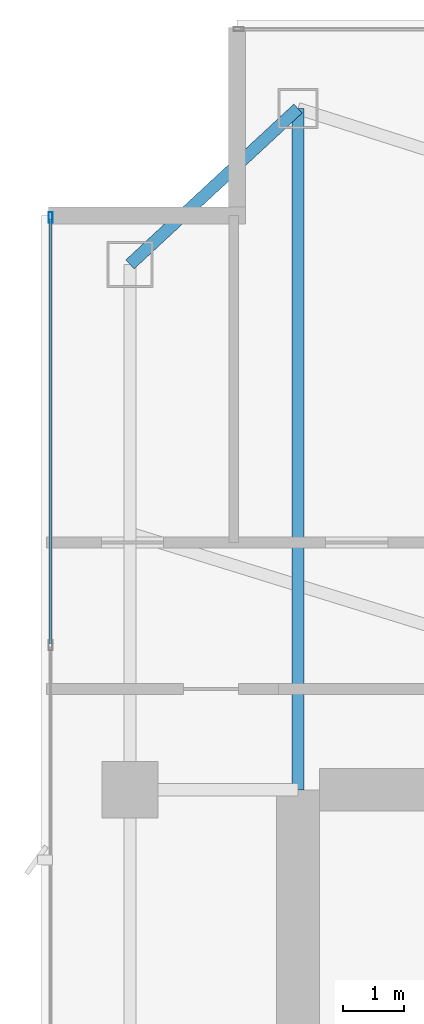
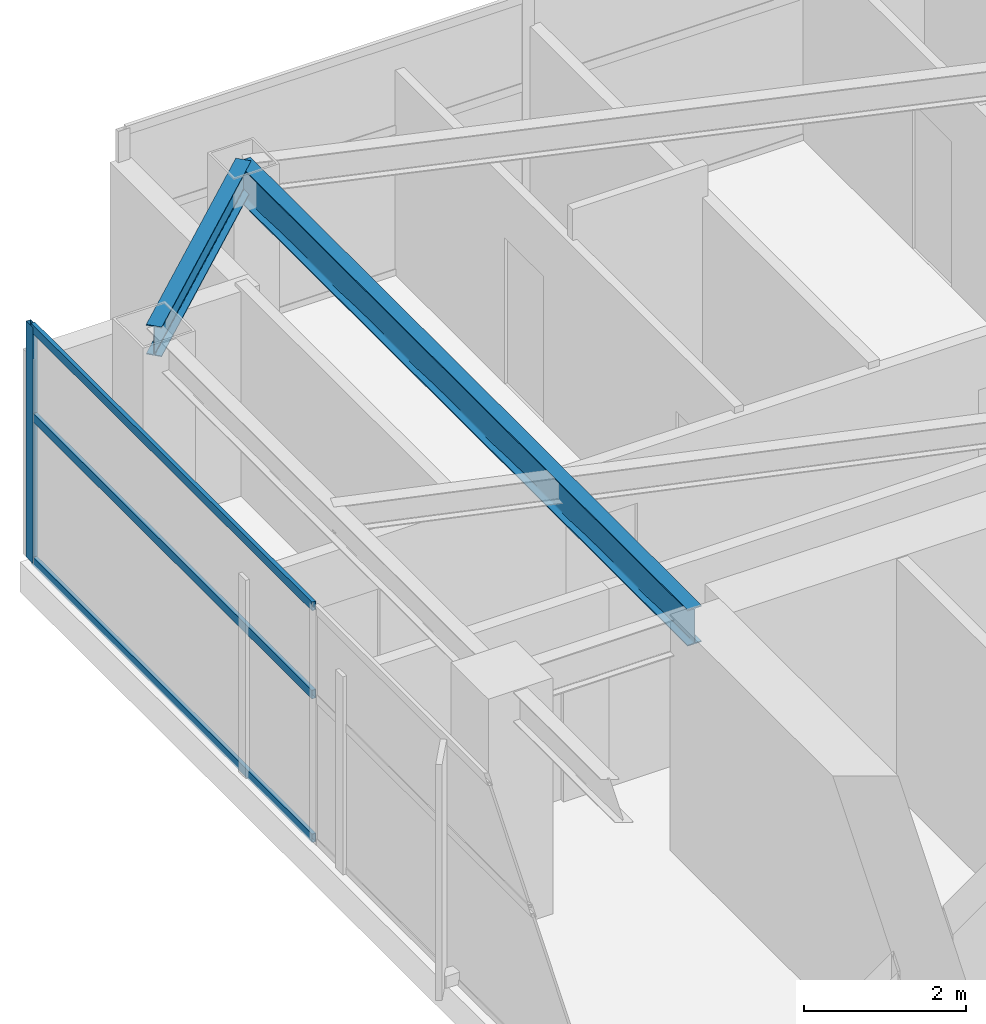
# One storey, part 17 of 28: 4 members, 2 beams, 1 element without a shape of its own.
"""IFC4 building model written with IfcOpenShell, lengths in metres."""

from ifc_helpers import new_model, si_unit, direction, frame, origin, origin_2d, place, context, subcontext, project, spatial, hollow_rectangle, i_section, extrude, material, layer, layer_set, material_profile, profile_set, type_object, element, aggregate, save


model = new_model("IFC4")

# Units and contexts
model_context = context("Model", 3, precision=1e-05, world=origin(), true_north=direction((0.0, 1.0)))
body_context = subcontext(model_context, "Body", "Model", "MODEL_VIEW")
ifc_project = project(units=[si_unit("LENGTHUNIT", "METRE"), si_unit("AREAUNIT", "SQUARE_METRE"), si_unit("VOLUMEUNIT", "CUBIC_METRE"), si_unit("PLANEANGLEUNIT", "RADIAN"), si_unit("MASSUNIT", "GRAM", prefix="KILO")], contexts=[model_context])

# Site, building, storey
site_placement = place(None, origin())
site = spatial("IfcSite", under=ifc_project, at=site_placement, CompositionType="ELEMENT")
building_placement = place(site_placement, origin())
building = spatial("IfcBuilding", under=site, at=building_placement, Name="Calvorn Quay Hotel", CompositionType="ELEMENT")
storey_placement = place(building_placement, frame((0.0, 0.0, 263.5)))
storey = spatial("IfcBuildingStorey", under=building, at=storey_placement, Name="L65", CompositionType="ELEMENT", Elevation=263.5)

# Beams
ifc_material_1 = material(Name="Steel Q355B", Category="steel")
ifc_material_profile_1 = material_profile(ifc_material_1, i_section(OverallWidth=0.199951171875, OverallDepth=0.550048828125, WebThickness=0.010009765625, FlangeThickness=0.01611328125, FilletRadius=0.01806640625, at=origin_2d()), Name="HN550x200x10x16")
ifc_profile_set_1 = profile_set([ifc_material_profile_1], Name="Steel Q355B")
beam_type_1 = type_object("IfcBeamType", Name="BM-GIRD-UPP", PredefinedType="BEAM", material=ifc_profile_set_1)
beam_1_placement = place(storey_placement, frame((4.199951171875, 49.550048828125, 3.264892578125), z_axis=(0.0, -1.0, 0.0), x_axis=(1.0, 0.0, 0.0)))
element("IfcBeam", 1, at=beam_1_placement, inside=storey, type_object=beam_type_1, Name="Beam BG-L65-W5", PredefinedType="BEAM", context=body_context, shape_type="SweptSolid", body=[
    extrude(i_section(OverallWidth=0.199951171875, OverallDepth=0.550048828125, WebThickness=0.010009765625, FlangeThickness=0.01611328125, FilletRadius=0.01806640625, at=origin_2d()), origin(), (0.0, 0.0, 1.0), 11.150146484375),
])
ifc_material_2 = material(Name="Steel Q355B", Category="steel")
ifc_material_profile_2 = material_profile(ifc_material_2, i_section(OverallWidth=0.199951171875, OverallDepth=0.449951171875, WebThickness=0.009033203125, FlangeThickness=0.013916015625, FilletRadius=0.01611328125, at=origin_2d()), Name="HN450x200x9x14")
ifc_profile_set_2 = profile_set([ifc_material_profile_2], Name="Steel Q355B")
beam_type_2 = type_object("IfcBeamType", Name="BM-SPANDREL-Z3", PredefinedType="SPANDREL", material=ifc_profile_set_2)
beam_2_placement = place(storey_placement, frame((1.449951171875, 47.0, 3.31494140625), z_axis=(0.733261665538, 0.679946563969, 0.0), x_axis=(-0.679946563969, 0.733261665538, 0.0)))
element("IfcBeam", 2, at=beam_2_placement, inside=storey, type_object=beam_type_2, Name="Beam BSP-L65-W5", PredefinedType="SPANDREL", context=body_context, shape_type="SweptSolid", body=[
    extrude(i_section(OverallWidth=0.199951171875, OverallDepth=0.449951171875, WebThickness=0.009033203125, FlangeThickness=0.013916015625, FilletRadius=0.01611328125, at=origin_2d()), origin(), (0.0, 0.0, 1.0), 3.75048828125),
])

# Curtain wall, members
ifc_material_3 = material(Name="Champagne Bronze Anodised Aluminium and Low-E Glass", Category="aluminium")
ifc_layer = layer(ifc_material_3, 0.219970703125)
ifc_layer_set = layer_set([ifc_layer], Name="CW-SYS-Z4")
curtain_wall_type = type_object("IfcCurtainWallType", Name="CW-SYS-Z4", PredefinedType="NOTDEFINED", material=ifc_layer_set)
curtain_wall_placement = place(storey_placement, origin())
curtain_wall = element("IfcCurtainWall", 3, at=curtain_wall_placement, inside=storey, type_object=curtain_wall_type, Name="Tower West Curtain Wall (L65)", PredefinedType="NOTDEFINED")
ifc_material_4 = material(Name="Champagne Bronze Anodised Aluminium 6063-T6", Category="aluminium")
ifc_material_profile_3 = material_profile(ifc_material_4, hollow_rectangle(XDim=0.06494140625, YDim=0.169921875, WallThickness=0.00341796875, at=origin_2d()), Name="ALU-M170x65x3.5")
ifc_profile_set_3 = profile_set([ifc_material_profile_3], Name="Champagne Bronze Anodised Aluminium 6063-T6")
member_type_1 = type_object("IfcMemberType", Name="CW-SYS-Z4-MUL", PredefinedType="MULLION", material=ifc_profile_set_3)
member_1_placement = place(storey_placement, frame((0.14990234375, 47.77001953125, 0.0), z_axis=(0.0, 0.0, 1.0), x_axis=(-1.0, 0.0, 0.0)))
member_1 = element("IfcMember", 4, at=member_1_placement, type_object=member_type_1, Name="CW-L65-W mullion 7", PredefinedType="MULLION", context=body_context, shape_type="SweptSolid", body=[
    extrude(hollow_rectangle(XDim=0.06494140625, YDim=0.169921875, WallThickness=0.00341796875, at=origin_2d()), origin(), (0.0, 0.0, 1.0), 3.56005859375),
])
ifc_material_5 = material(Name="Champagne Bronze Anodised Aluminium 6063-T6", Category="aluminium")
ifc_material_profile_4 = material_profile(ifc_material_5, hollow_rectangle(XDim=0.054931640625, YDim=0.1298828125, WallThickness=0.003173828125, at=origin_2d()), Name="ALU-T130x55x3.2")
ifc_profile_set_4 = profile_set([ifc_material_profile_4], Name="Champagne Bronze Anodised Aluminium 6063-T6")
member_type_2 = type_object("IfcMemberType", Name="CW-SYS-Z4-TRN", PredefinedType="USERDEFINED", material=ifc_profile_set_4)
member_2_placement = place(storey_placement, frame((0.14990234375, 40.796630859375, 0.030029296875), z_axis=(0.0, 1.0, 0.0), x_axis=(-1.0, 0.0, 0.0)))
member_2 = element("IfcMember", 5, at=member_2_placement, type_object=member_type_2, Name="CW-L65-W transom 6.1", ObjectType="TRANSOM", PredefinedType="USERDEFINED", context=body_context, shape_type="SweptSolid", body=[
    extrude(hollow_rectangle(XDim=0.054931640625, YDim=0.1298828125, WallThickness=0.003173828125, at=origin_2d()), origin(), (0.0, 0.0, 1.0), 6.943359375),
])
member_3_placement = place(storey_placement, frame((0.14990234375, 40.796630859375, 2.199951171875), z_axis=(0.0, 1.0, 0.0), x_axis=(-1.0, 0.0, 0.0)))
member_3 = element("IfcMember", 6, at=member_3_placement, type_object=member_type_2, Name="CW-L65-W transom 6.2", ObjectType="TRANSOM", PredefinedType="USERDEFINED", context=body_context, shape_type="SweptSolid", body=[
    extrude(hollow_rectangle(XDim=0.054931640625, YDim=0.1298828125, WallThickness=0.003173828125, at=origin_2d()), origin(), (0.0, 0.0, 1.0), 6.943359375),
])
member_4_placement = place(storey_placement, frame((0.14990234375, 40.796630859375, 3.530029296875), z_axis=(0.0, 1.0, 0.0), x_axis=(-1.0, 0.0, 0.0)))
member_4 = element("IfcMember", 7, at=member_4_placement, type_object=member_type_2, Name="CW-L65-W transom 6.3", ObjectType="TRANSOM", PredefinedType="USERDEFINED", context=body_context, shape_type="SweptSolid", body=[
    extrude(hollow_rectangle(XDim=0.054931640625, YDim=0.1298828125, WallThickness=0.003173828125, at=origin_2d()), origin(), (0.0, 0.0, 1.0), 6.943359375),
])
aggregate(curtain_wall, [member_1, member_2, member_3, member_4])

save(model, "model.ifc")
